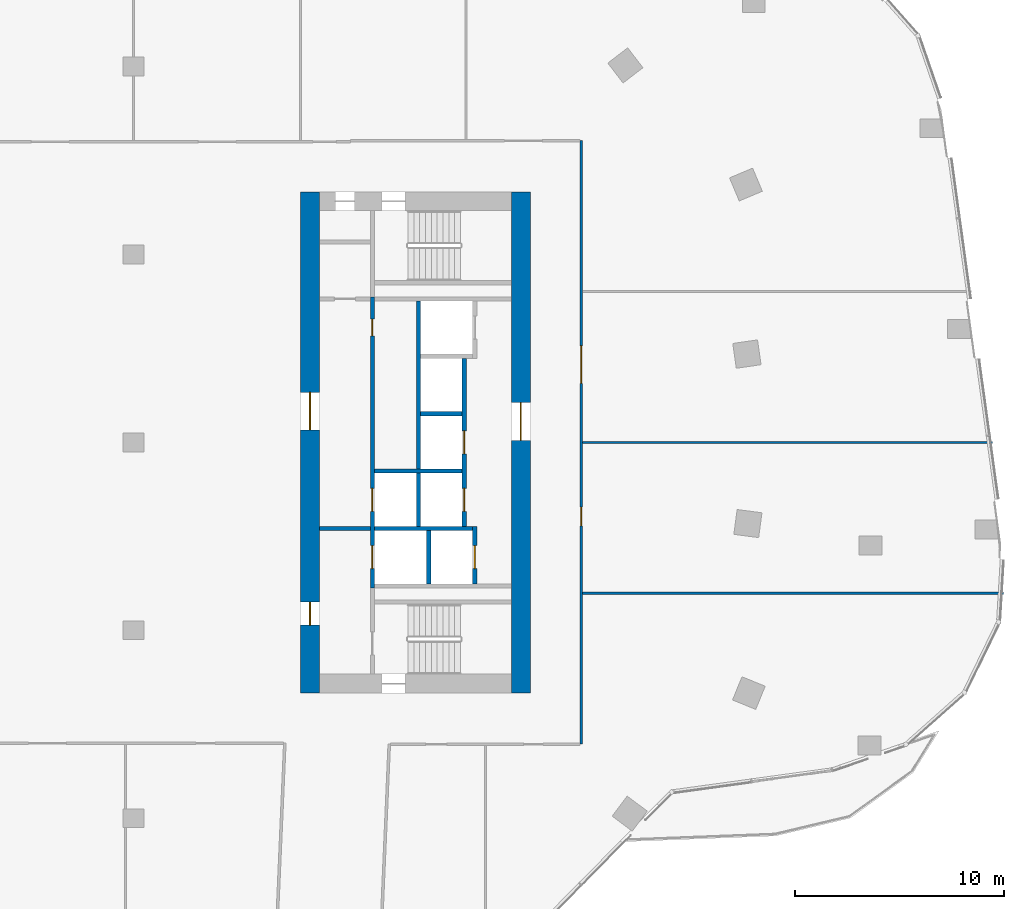
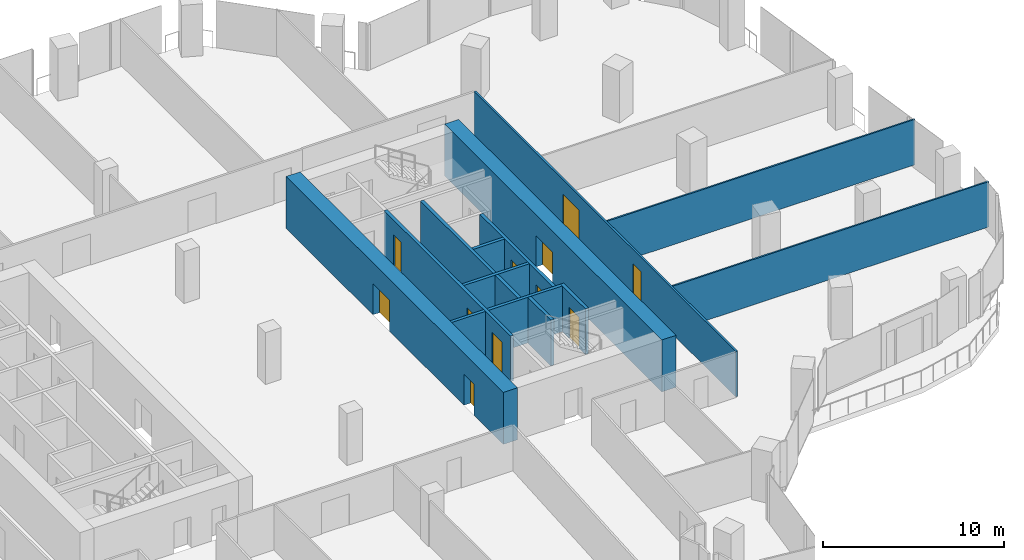
# One storey, part 22 of 29: 15 walls, 11 doors, 11 openings.
"""IFC4 building model written with IfcOpenShell, lengths in metres."""

from ifc_helpers import new_model, si_unit, direction, frame, frame_2d, origin, place, context, subcontext, project, spatial, rectangle, extrude, material, layer, layer_set, type_object, element, fill, save


model = new_model("IFC4")

# Units and contexts
model_context = context("Model", 3, precision=1e-05, world=origin(), true_north=direction((0.0, 1.0)))
body_context = subcontext(model_context, "Body", "Model", "MODEL_VIEW")
ifc_project = project(units=[si_unit("LENGTHUNIT", "METRE"), si_unit("AREAUNIT", "SQUARE_METRE"), si_unit("VOLUMEUNIT", "CUBIC_METRE"), si_unit("PLANEANGLEUNIT", "RADIAN"), si_unit("MASSUNIT", "GRAM", prefix="KILO")], contexts=[model_context])

# Site, building, storey
site_placement = place(None, origin())
site = spatial("IfcSite", under=ifc_project, at=site_placement, CompositionType="ELEMENT")
building_placement = place(site_placement, origin())
building = spatial("IfcBuilding", under=site, at=building_placement, Name="Orlundy Tower", CompositionType="ELEMENT")
storey_placement = place(building_placement, frame((0.0, 0.0, 188.60009765625)))
storey = spatial("IfcBuildingStorey", under=building, at=storey_placement, Name="L49", CompositionType="ELEMENT", Elevation=188.60009765625)

# Wall, openings, doors
ifc_material_1 = material(Name="Concrete C70/85", Category="concrete")
ifc_layer_1 = layer(ifc_material_1, 0.89990234375)
ifc_layer_set_1 = layer_set([ifc_layer_1], Name="CORE WALL 900 C70/85")
wall_type_1 = type_object("IfcWallType", Name="CORE WALL 900 C70/85", PredefinedType="SHEAR", material=ifc_layer_set_1)
wall_1_placement = place(storey_placement, frame((8.449951171875, -12.0, 0.0), z_axis=(0.0, 0.0, 1.0), x_axis=(0.0, 1.0, 0.0)))
wall_1 = element("IfcWall", 1, at=wall_1_placement, inside=storey, type_object=wall_type_1, Name="Core wall E-W L49", PredefinedType="SHEAR", context=body_context, shape_type="SweptSolid", body=[
    extrude(rectangle(XDim=24.0, YDim=0.89990234375, at=frame_2d((12.0, 0.0))), origin(), (0.0, 0.0, 1.0), 3.5),
])
opening_1_placement = place(wall_1_placement, frame((12.60009765625, 0.0, 0.0)))
opening_1 = element("IfcOpeningElement", 2, at=opening_1_placement, cuts=wall_1, Name="Opening 38057", PredefinedType="OPENING", context=body_context, shape_type="SweptSolid", body=[
    extrude(rectangle(XDim=1.800048828125, YDim=2.10009765625, at=frame_2d((0.89990234375, 1.050048828125))), frame((0.0, 0.4599609375, 0.0), z_axis=(0.0, -1.0, 0.0), x_axis=(1.0, 0.0, 0.0)), (0.0, 0.0, 1.0), 0.919921875),
])
opening_2_placement = place(wall_1_placement, frame((3.25, 0.0, 0.0)))
opening_2 = element("IfcOpeningElement", 3, at=opening_2_placement, cuts=wall_1, Name="Opening 38059", PredefinedType="OPENING", context=body_context, shape_type="SweptSolid", body=[
    extrude(rectangle(XDim=1.10009765625, YDim=2.10009765625, at=frame_2d((0.550048828125, 1.050048828125))), frame((0.0, 0.4599609375, 0.0), z_axis=(0.0, -1.0, 0.0), x_axis=(1.0, 0.0, 0.0)), (0.0, 0.0, 1.0), 0.919921875),
])
ifc_material_2 = material(Name="Steel door set", Category="steel")
door_type_1 = type_object("IfcDoorType", Name="Fire-fighting Lobby Door 1100x2100", OperationType="SINGLE_SWING_LEFT", PredefinedType="DOOR", material=ifc_material_2)
door_1_placement = place(opening_2_placement, origin())
door_1 = element("IfcDoor", 4, at=door_1_placement, inside=storey, type_object=door_type_1, Name="Fire-fighting lobby door 38059", OperationType="SINGLE_SWING_LEFT", OverallHeight=2.10009765625, OverallWidth=1.10009765625, PredefinedType="DOOR", context=body_context, shape_type="SweptSolid", body=[
    extrude(rectangle(XDim=1.10009765625, YDim=2.10009765625, at=frame_2d((0.550048828125, 1.050048828125))), frame((0.0, 0.02490234375, 0.0), z_axis=(0.0, -1.0, 0.0), x_axis=(1.0, 0.0, 0.0)), (0.0, 0.0, 1.0), 0.050048828125),
])
fill(opening_2, door_1)
ifc_material_3 = material(Name="Timber door set", Category="wood")
door_type_2 = type_object("IfcDoorType", Name="Lobby Door 1800x2100", OperationType="DOUBLE_DOOR_DOUBLE_SWING", PredefinedType="DOOR", material=ifc_material_3)
door_2_placement = place(opening_1_placement, origin())
door_2 = element("IfcDoor", 5, at=door_2_placement, inside=storey, type_object=door_type_2, Name="Lift lobby door 38057", OperationType="SINGLE_SWING_RIGHT", OverallHeight=2.10009765625, OverallWidth=1.800048828125, PredefinedType="DOOR", context=body_context, shape_type="SweptSolid", body=[
    extrude(rectangle(XDim=1.800048828125, YDim=2.10009765625, at=frame_2d((0.89990234375, 1.050048828125))), frame((0.0, 0.02490234375, 0.0), z_axis=(0.0, -1.0, 0.0), x_axis=(1.0, 0.0, 0.0)), (0.0, 0.0, 1.0), 0.050048828125),
])
fill(opening_1, door_2)

# Wall, opening, door
wall_2_placement = place(storey_placement, frame((18.550048828125, -12.0, 0.0), z_axis=(0.0, 0.0, 1.0), x_axis=(0.0, 1.0, 0.0)))
wall_2 = element("IfcWall", 6, at=wall_2_placement, inside=storey, type_object=wall_type_1, Name="Core wall E-E L49", PredefinedType="SHEAR", context=body_context, shape_type="SweptSolid", body=[
    extrude(rectangle(XDim=24.0, YDim=0.89990234375, at=frame_2d((12.0, 0.0))), origin(), (0.0, 0.0, 1.0), 3.5),
])
opening_3_placement = place(wall_2_placement, frame((12.10009765625, 0.0, 0.0)))
opening_3 = element("IfcOpeningElement", 7, at=opening_3_placement, cuts=wall_2, Name="Opening 38058", PredefinedType="OPENING", context=body_context, shape_type="SweptSolid", body=[
    extrude(rectangle(XDim=1.800048828125, YDim=2.10009765625, at=frame_2d((0.89990234375, 1.050048828125))), frame((0.0, 0.4599609375, 0.0), z_axis=(0.0, -1.0, 0.0), x_axis=(1.0, 0.0, 0.0)), (0.0, 0.0, 1.0), 0.919921875),
])
door_3_placement = place(opening_3_placement, origin())
door_3 = element("IfcDoor", 8, at=door_3_placement, inside=storey, type_object=door_type_2, Name="Lift lobby door 38058", OperationType="SINGLE_SWING_RIGHT", OverallHeight=2.10009765625, OverallWidth=1.800048828125, PredefinedType="DOOR", context=body_context, shape_type="SweptSolid", body=[
    extrude(rectangle(XDim=1.800048828125, YDim=2.10009765625, at=frame_2d((0.89990234375, 1.050048828125))), frame((0.0, 0.02490234375, 0.0), z_axis=(0.0, -1.0, 0.0), x_axis=(1.0, 0.0, 0.0)), (0.0, 0.0, 1.0), 0.050048828125),
])
fill(opening_3, door_3)

# Walls
ifc_material_4 = material(Name="Gypsum board partition")
ifc_layer_2 = layer(ifc_material_4, 0.10009765625)
ifc_layer_set_2 = layer_set([ifc_layer_2], Name="Floor partition 100")
wall_type_2 = type_object("IfcWallType", Name="Floor partition 100", PredefinedType="PARTITIONING", material=ifc_layer_set_2)
wall_3_placement = place(storey_placement, frame((21.511962890625, -7.22412109375, 0.0), z_axis=(0.0, 0.0, 1.0), x_axis=(1.0, 0.0, 0.0)))
element("IfcWall", 9, at=wall_3_placement, inside=storey, type_object=wall_type_2, Name="wall-int-L49-034", PredefinedType="PARTITIONING", context=body_context, shape_type="SweptSolid", body=[
    extrude(rectangle(XDim=20.152099609375, YDim=0.10009765625, at=frame_2d((10.076171875, 0.0))), origin(), (0.0, 0.0, 1.0), 3.059814453125),
])
wall_4_placement = place(storey_placement, frame((21.511962890625, 0.0, 0.0), z_axis=(0.0, 0.0, 1.0), x_axis=(1.0, 0.0, 0.0)))
element("IfcWall", 10, at=wall_4_placement, inside=storey, type_object=wall_type_2, Name="wall-int-L49-036", PredefinedType="PARTITIONING", context=body_context, shape_type="SweptSolid", body=[
    extrude(rectangle(XDim=19.6220703125, YDim=0.10009765625, at=frame_2d((9.81103515625, 0.0))), origin(), (0.0, 0.0, 1.0), 3.059814453125),
])

# Wall, openings, doors
ifc_material_5 = material(Name="Gypsum board partition, double layer")
ifc_layer_3 = layer(ifc_material_5, 0.125)
ifc_layer_set_3 = layer_set([ifc_layer_3], Name="Floor partition 125")
wall_type_3 = type_object("IfcWallType", Name="Floor partition 125", PredefinedType="PARTITIONING", material=ifc_layer_set_3)
wall_5_placement = place(storey_placement, frame((21.449951171875, 14.450927734375, 0.0), z_axis=(0.0, 0.0, 1.0), x_axis=(0.0, -1.0, 0.0)))
wall_5 = element("IfcWall", 11, at=wall_5_placement, inside=storey, type_object=wall_type_3, Name="wall-int-L49-071", PredefinedType="PARTITIONING", context=body_context, shape_type="SweptSolid", body=[
    extrude(rectangle(XDim=28.90185546875, YDim=0.125, at=frame_2d((14.450927734375, 0.0))), origin(), (0.0, 0.0, 1.0), 3.059814453125),
])
opening_4_placement = place(wall_5_placement, frame((17.551025390625, 0.0, 0.0)))
opening_4 = element("IfcOpeningElement", 12, at=opening_4_placement, cuts=wall_5, Name="Opening 38118", PredefinedType="OPENING", context=body_context, shape_type="SweptSolid", body=[
    extrude(rectangle(XDim=0.89990234375, YDim=2.10009765625, at=frame_2d((0.449951171875, 1.050048828125))), frame((0.0, 0.072509765625, 0.0), z_axis=(0.0, -1.0, 0.0), x_axis=(1.0, 0.0, 0.0)), (0.0, 0.0, 1.0), 0.14501953125),
])
opening_5_placement = place(wall_5_placement, frame((9.826904296875, 0.0, 0.0)))
opening_5 = element("IfcOpeningElement", 13, at=opening_5_placement, cuts=wall_5, Name="Opening 38119", PredefinedType="OPENING", context=body_context, shape_type="SweptSolid", body=[
    extrude(rectangle(XDim=1.800048828125, YDim=2.10009765625, at=frame_2d((0.89990234375, 1.050048828125))), frame((0.0, 0.072509765625, 0.0), z_axis=(0.0, -1.0, 0.0), x_axis=(1.0, 0.0, 0.0)), (0.0, 0.0, 1.0), 0.14501953125),
])
ifc_material_6 = material(Name="Timber door leaf", Category="wood")
door_type_3 = type_object("IfcDoorType", Name="Floor door double 1800 FD30S", OperationType="NOTDEFINED", PredefinedType="DOOR", material=ifc_material_6)
door_4_placement = place(opening_5_placement, origin())
door_4 = element("IfcDoor", 14, at=door_4_placement, inside=storey, type_object=door_type_3, Name="Door 38119", OperationType="DOUBLE_DOOR_SINGLE_SWING", OverallHeight=2.10009765625, OverallWidth=1.800048828125, PredefinedType="DOOR", context=body_context, shape_type="SweptSolid", body=[
    extrude(rectangle(XDim=1.800048828125, YDim=2.10009765625, at=frame_2d((0.89990234375, 1.050048828125))), frame((0.0, 0.02490234375, 0.0), z_axis=(0.0, -1.0, 0.0), x_axis=(1.0, 0.0, 0.0)), (0.0, 0.0, 1.0), 0.050048828125),
])
fill(opening_5, door_4)
ifc_material_7 = material(Name="Timber door leaf", Category="wood")
door_type_4 = type_object("IfcDoorType", Name="Floor door single 900 FD30S", OperationType="NOTDEFINED", PredefinedType="DOOR", material=ifc_material_7)
door_5_placement = place(opening_4_placement, origin())
door_5 = element("IfcDoor", 15, at=door_5_placement, inside=storey, type_object=door_type_4, Name="Door 38118", OperationType="SINGLE_SWING_RIGHT", OverallHeight=2.10009765625, OverallWidth=0.89990234375, PredefinedType="DOOR", context=body_context, shape_type="SweptSolid", body=[
    extrude(rectangle(XDim=0.89990234375, YDim=2.10009765625, at=frame_2d((0.449951171875, 1.050048828125))), frame((0.0, 0.02490234375, 0.0), z_axis=(0.0, -1.0, 0.0), x_axis=(1.0, 0.0, 0.0)), (0.0, 0.0, 1.0), 0.050048828125),
])
fill(opening_4, door_5)

# Walls
ifc_material_8 = material(Name="Gypsum board partition on steel studs", Category="steel")
ifc_layer_4 = layer(ifc_material_8, 0.199951171875)
ifc_layer_set_4 = layer_set([ifc_layer_4], Name="Partition 200")
wall_type_4 = type_object("IfcWallType", Name="Partition 200", PredefinedType="PARTITIONING", material=ifc_layer_set_4)
wall_6_placement = place(storey_placement, frame((8.89990234375, -4.125, 0.0), z_axis=(0.0, 0.0, 1.0), x_axis=(1.0, 0.0, 0.0)))
element("IfcWall", 16, at=wall_6_placement, inside=storey, type_object=wall_type_4, Name="Partition wall E38-lobby-n", PredefinedType="PARTITIONING", context=body_context, shape_type="SweptSolid", body=[
    extrude(rectangle(XDim=2.440185546875, YDim=0.199951171875, at=frame_2d((1.22021484375, 0.0))), origin(), (0.0, 0.0, 1.0), 3.079833984375),
])
ifc_material_9 = material(Name="Fire-rated blockwork shaft wall", Category="masonry")
ifc_layer_5 = layer(ifc_material_9, 0.199951171875)
ifc_layer_set_5 = layer_set([ifc_layer_5], Name="Shaft Wall 200")
wall_type_5 = type_object("IfcWallType", Name="Shaft Wall 200", PredefinedType="SOLIDWALL", material=ifc_layer_set_5)
wall_7_placement = place(storey_placement, frame((13.739990234375, 1.375, 0.0), z_axis=(0.0, 0.0, 1.0), x_axis=(1.0, 0.0, 0.0)))
element("IfcWall", 17, at=wall_7_placement, inside=storey, type_object=wall_type_5, Name="Shaft wall E38-cross-1.375", PredefinedType="SOLIDWALL", context=body_context, shape_type="SweptSolid", body=[
    extrude(rectangle(XDim=2.0, YDim=0.199951171875, at=frame_2d((1.0, 0.0))), origin(), (0.0, 0.0, 1.0), 3.079833984375),
])
wall_8_placement = place(storey_placement, frame((11.5400390625, -1.375, 0.0), z_axis=(0.0, 0.0, 1.0), x_axis=(1.0, 0.0, 0.0)))
element("IfcWall", 18, at=wall_8_placement, inside=storey, type_object=wall_type_5, Name="Shaft wall E38-cross+1.375", PredefinedType="SOLIDWALL", context=body_context, shape_type="SweptSolid", body=[
    extrude(rectangle(XDim=4.199951171875, YDim=0.199951171875, at=frame_2d((2.10009765625, 0.0))), origin(), (0.0, 0.0, 1.0), 3.079833984375),
])
wall_9_placement = place(storey_placement, frame((11.5400390625, -4.125, 0.0), z_axis=(0.0, 0.0, 1.0), x_axis=(1.0, 0.0, 0.0)))
element("IfcWall", 19, at=wall_9_placement, inside=storey, type_object=wall_type_5, Name="Shaft wall E38-cross+4.125", PredefinedType="SOLIDWALL", context=body_context, shape_type="SweptSolid", body=[
    extrude(rectangle(XDim=4.699951171875, YDim=0.199951171875, at=frame_2d((2.35009765625, 0.0))), origin(), (0.0, 0.0, 1.0), 3.079833984375),
])

# Wall, openings, doors
wall_10_placement = place(storey_placement, frame((11.43994140625, 6.97509765625, 0.0), z_axis=(0.0, 0.0, 1.0), x_axis=(0.0, -1.0, 0.0)))
wall_10 = element("IfcWall", 20, at=wall_10_placement, inside=storey, type_object=wall_type_5, Name="Shaft wall E38-front-h", PredefinedType="SOLIDWALL", context=body_context, shape_type="SweptSolid", body=[
    extrude(rectangle(XDim=13.9501953125, YDim=0.199951171875, at=frame_2d((6.97509765625, 0.0))), origin(), (0.0, 0.0, 1.0), 3.079833984375),
])
opening_6_placement = place(wall_10_placement, frame((9.175048828125, 0.0, 0.0)))
opening_6 = element("IfcOpeningElement", 21, at=opening_6_placement, cuts=wall_10, Name="Opening 38052", PredefinedType="OPENING", context=body_context, shape_type="SweptSolid", body=[
    extrude(rectangle(XDim=1.10009765625, YDim=2.10009765625, at=frame_2d((0.550048828125, 1.050048828125))), frame((0.0, 0.110107421875, 0.0), z_axis=(0.0, -1.0, 0.0), x_axis=(1.0, 0.0, 0.0)), (0.0, 0.0, 1.0), 0.22021484375),
])
opening_7_placement = place(wall_10_placement, frame((11.925048828125, 0.0, 0.0)))
opening_7 = element("IfcOpeningElement", 22, at=opening_7_placement, cuts=wall_10, Name="Opening 38054", PredefinedType="OPENING", context=body_context, shape_type="SweptSolid", body=[
    extrude(rectangle(XDim=1.10009765625, YDim=2.10009765625, at=frame_2d((0.550048828125, 1.050048828125))), frame((0.0, 0.110107421875, 0.0), z_axis=(0.0, -1.0, 0.0), x_axis=(1.0, 0.0, 0.0)), (0.0, 0.0, 1.0), 0.22021484375),
])
opening_8_placement = place(wall_10_placement, frame((1.074951171875, 0.0, 0.0)))
opening_8 = element("IfcOpeningElement", 23, at=opening_8_placement, cuts=wall_10, Name="Opening 38056", PredefinedType="OPENING", context=body_context, shape_type="SweptSolid", body=[
    extrude(rectangle(XDim=0.800048828125, YDim=2.10009765625, at=frame_2d((0.39990234375, 1.050048828125))), frame((0.0, 0.110107421875, 0.0), z_axis=(0.0, -1.0, 0.0), x_axis=(1.0, 0.0, 0.0)), (0.0, 0.0, 1.0), 0.22021484375),
])
ifc_material_10 = material(Name="Steel door set", Category="steel")
door_type_5 = type_object("IfcDoorType", Name="Landing Door 1100x2100", OperationType="DOUBLE_DOOR_SLIDING", PredefinedType="DOOR", material=ifc_material_10)
door_6_placement = place(opening_6_placement, origin())
door_6 = element("IfcDoor", 24, at=door_6_placement, inside=storey, type_object=door_type_5, Name="Lift landing door LP-16 38052", OperationType="DOUBLE_DOOR_SLIDING", OverallHeight=2.10009765625, OverallWidth=1.10009765625, PredefinedType="DOOR", context=body_context, shape_type="SweptSolid", body=[
    extrude(rectangle(XDim=1.10009765625, YDim=2.10009765625, at=frame_2d((0.550048828125, 1.050048828125))), frame((0.0, 0.02490234375, 0.0), z_axis=(0.0, -1.0, 0.0), x_axis=(1.0, 0.0, 0.0)), (0.0, 0.0, 1.0), 0.050048828125),
])
fill(opening_6, door_6)
door_7_placement = place(opening_7_placement, origin())
door_7 = element("IfcDoor", 25, at=door_7_placement, inside=storey, type_object=door_type_5, Name="Lift landing door FL2 38054", OperationType="DOUBLE_DOOR_SLIDING", OverallHeight=2.10009765625, OverallWidth=1.10009765625, PredefinedType="DOOR", context=body_context, shape_type="SweptSolid", body=[
    extrude(rectangle(XDim=1.10009765625, YDim=2.10009765625, at=frame_2d((0.550048828125, 1.050048828125))), frame((0.0, 0.02490234375, 0.0), z_axis=(0.0, -1.0, 0.0), x_axis=(1.0, 0.0, 0.0)), (0.0, 0.0, 1.0), 0.050048828125),
])
fill(opening_7, door_7)
ifc_material_11 = material(Name="Timber door set", Category="wood")
door_type_6 = type_object("IfcDoorType", Name="Riser Door 800x2100", OperationType="SINGLE_SWING_LEFT", PredefinedType="DOOR", material=ifc_material_11)
door_8_placement = place(opening_8_placement, origin())
door_8 = element("IfcDoor", 26, at=door_8_placement, inside=storey, type_object=door_type_6, Name="Telecom Room door 38056", OperationType="SINGLE_SWING_LEFT", OverallHeight=2.10009765625, OverallWidth=0.800048828125, PredefinedType="DOOR", context=body_context, shape_type="SweptSolid", body=[
    extrude(rectangle(XDim=0.800048828125, YDim=2.10009765625, at=frame_2d((0.39990234375, 1.050048828125))), frame((0.0, 0.02490234375, 0.0), z_axis=(0.0, -1.0, 0.0), x_axis=(1.0, 0.0, 0.0)), (0.0, 0.0, 1.0), 0.050048828125),
])
fill(opening_8, door_8)

# Walls
wall_11_placement = place(storey_placement, frame((13.639892578125, 6.77490234375, 0.0), z_axis=(0.0, 0.0, 1.0), x_axis=(0.0, -1.0, 0.0)))
element("IfcWall", 27, at=wall_11_placement, inside=storey, type_object=wall_type_5, Name="Shaft wall E38-mid-a", PredefinedType="SOLIDWALL", context=body_context, shape_type="SweptSolid", body=[
    extrude(rectangle(XDim=8.0498046875, YDim=0.199951171875, at=frame_2d((4.02490234375, 0.0))), origin(), (0.0, 0.0, 1.0), 3.079833984375),
])
for number, where, z_axis, x_axis, name in (
    (28, (13.639892578125, -1.47509765625, 0.0), (0.0, 0.0, 1.0), (0.0, -1.0, 0.0), "Shaft wall E38-mid-a.1"),
    (29, (14.139892578125, -4.22509765625, 0.0), (0.0, 0.0, 1.0), (0.0, -1.0, 0.0), "Shaft wall E38-mid-b"),
):
    element("IfcWall", number, at=place(storey_placement, frame(where, z_axis=z_axis, x_axis=x_axis)), inside=storey, type_object=wall_type_5, Name=name, PredefinedType="SOLIDWALL", context=body_context, shape_type="SweptSolid", body=[
        extrude(rectangle(XDim=2.5498046875, YDim=0.199951171875, at=frame_2d((1.27490234375, 0.0))), origin(), (0.0, 0.0, 1.0), 3.079833984375),
    ])

# Wall, openings, doors
wall_12_placement = place(storey_placement, frame((15.840087890625, 4.02490234375, 0.0), z_axis=(0.0, 0.0, 1.0), x_axis=(0.0, -1.0, 0.0)))
wall_12 = element("IfcWall", 30, at=wall_12_placement, inside=storey, type_object=wall_type_5, Name="Shaft wall E38-front-o-b", PredefinedType="SOLIDWALL", context=body_context, shape_type="SweptSolid", body=[
    extrude(rectangle(XDim=8.0498046875, YDim=0.199951171875, at=frame_2d((4.02490234375, 0.0))), origin(), (0.0, 0.0, 1.0), 3.079833984375),
])
opening_9_placement = place(wall_12_placement, frame((3.47509765625, 0.0, 0.0)))
opening_9 = element("IfcOpeningElement", 31, at=opening_9_placement, cuts=wall_12, Name="Opening 38051", PredefinedType="OPENING", context=body_context, shape_type="SweptSolid", body=[
    extrude(rectangle(XDim=1.10009765625, YDim=2.10009765625, at=frame_2d((0.550048828125, 1.050048828125))), frame((0.0, 0.110107421875, 0.0), z_axis=(0.0, -1.0, 0.0), x_axis=(1.0, 0.0, 0.0)), (0.0, 0.0, 1.0), 0.22021484375),
])
opening_10_placement = place(wall_12_placement, frame((6.22509765625, 0.0, 0.0)))
opening_10 = element("IfcOpeningElement", 32, at=opening_10_placement, cuts=wall_12, Name="Opening 38053", PredefinedType="OPENING", context=body_context, shape_type="SweptSolid", body=[
    extrude(rectangle(XDim=1.10009765625, YDim=2.10009765625, at=frame_2d((0.550048828125, 1.050048828125))), frame((0.0, 0.110107421875, 0.0), z_axis=(0.0, -1.0, 0.0), x_axis=(1.0, 0.0, 0.0)), (0.0, 0.0, 1.0), 0.22021484375),
])
door_9_placement = place(opening_9_placement, origin())
door_9 = element("IfcDoor", 33, at=door_9_placement, inside=storey, type_object=door_type_5, Name="Lift landing door LP-15 38051", OperationType="DOUBLE_DOOR_SLIDING", OverallHeight=2.10009765625, OverallWidth=1.10009765625, PredefinedType="DOOR", context=body_context, shape_type="SweptSolid", body=[
    extrude(rectangle(XDim=1.10009765625, YDim=2.10009765625, at=frame_2d((0.550048828125, 1.050048828125))), frame((0.0, 0.02490234375, 0.0), z_axis=(0.0, -1.0, 0.0), x_axis=(1.0, 0.0, 0.0)), (0.0, 0.0, 1.0), 0.050048828125),
])
fill(opening_9, door_9)
door_10_placement = place(opening_10_placement, origin())
door_10 = element("IfcDoor", 34, at=door_10_placement, inside=storey, type_object=door_type_5, Name="Lift landing door LP-17 38053", OperationType="DOUBLE_DOOR_SLIDING", OverallHeight=2.10009765625, OverallWidth=1.10009765625, PredefinedType="DOOR", context=body_context, shape_type="SweptSolid", body=[
    extrude(rectangle(XDim=1.10009765625, YDim=2.10009765625, at=frame_2d((0.550048828125, 1.050048828125))), frame((0.0, 0.02490234375, 0.0), z_axis=(0.0, -1.0, 0.0), x_axis=(1.0, 0.0, 0.0)), (0.0, 0.0, 1.0), 0.050048828125),
])
fill(opening_10, door_10)

# Wall, opening, door
wall_13_placement = place(storey_placement, frame((16.340087890625, -4.02490234375, 0.0), z_axis=(0.0, 0.0, 1.0), x_axis=(0.0, -1.0, 0.0)))
wall_13 = element("IfcWall", 35, at=wall_13_placement, inside=storey, type_object=wall_type_5, Name="Shaft wall E38-front-o-c", PredefinedType="SOLIDWALL", context=body_context, shape_type="SweptSolid", body=[
    extrude(rectangle(XDim=2.75, YDim=0.199951171875, at=frame_2d((1.375, 0.0))), origin(), (0.0, 0.0, 1.0), 3.079833984375),
])
opening_11_placement = place(wall_13_placement, frame((0.925048828125, 0.0, 0.0)))
opening_11 = element("IfcOpeningElement", 36, at=opening_11_placement, cuts=wall_13, Name="Opening 38055", PredefinedType="OPENING", context=body_context, shape_type="SweptSolid", body=[
    extrude(rectangle(XDim=1.10009765625, YDim=2.10009765625, at=frame_2d((0.550048828125, 1.050048828125))), frame((0.0, 0.110107421875, 0.0), z_axis=(0.0, -1.0, 0.0), x_axis=(1.0, 0.0, 0.0)), (0.0, 0.0, 1.0), 0.22021484375),
])
door_11_placement = place(opening_11_placement, origin())
door_11 = element("IfcDoor", 37, at=door_11_placement, inside=storey, type_object=door_type_5, Name="Lift landing door LP-18 38055", OperationType="DOUBLE_DOOR_SLIDING", OverallHeight=2.10009765625, OverallWidth=1.10009765625, PredefinedType="DOOR", context=body_context, shape_type="SweptSolid", body=[
    extrude(rectangle(XDim=1.10009765625, YDim=2.10009765625, at=frame_2d((0.550048828125, 1.050048828125))), frame((0.0, 0.02490234375, 0.0), z_axis=(0.0, -1.0, 0.0), x_axis=(1.0, 0.0, 0.0)), (0.0, 0.0, 1.0), 0.050048828125),
])
fill(opening_11, door_11)

save(model, "model.ifc")
